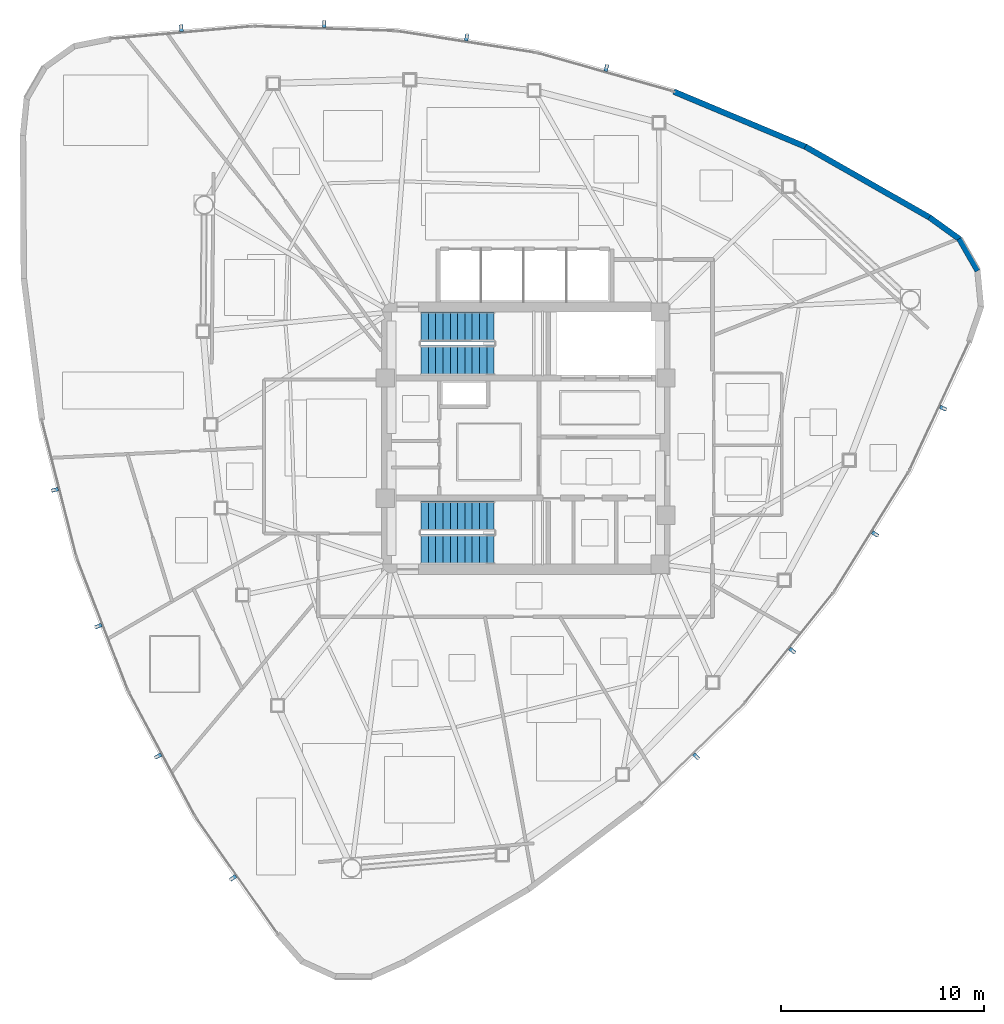
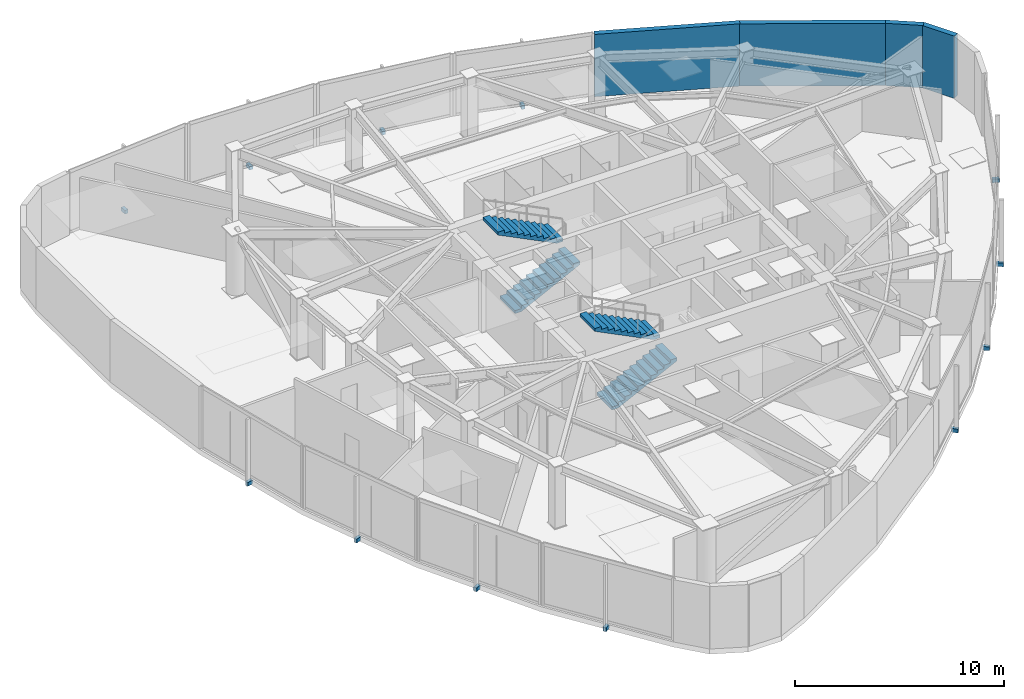
# One storey, part 10 of 13: 12 discrete accessories, 4 stair flights, 4 walls, 2 elements without a shape of their own.
"""IFC4 building model written with IfcOpenShell, lengths in metres."""

from ifc_helpers import new_model, si_unit, direction, frame, frame_2d, origin, origin_2d, place, context, subcontext, project, spatial, polyline, rectangle, outline, extrude, source, transform, mapped, material, layer, layer_set, type_object, type_shapes, element, aggregate, save


model = new_model("IFC4")

# Units and contexts
model_context = context("Model", 3, precision=1e-05, world=origin(), true_north=direction((0.0, 1.0)))
body_context = subcontext(model_context, "Body", "Model", "MODEL_VIEW")
ifc_project = project(units=[si_unit("LENGTHUNIT", "METRE"), si_unit("AREAUNIT", "SQUARE_METRE"), si_unit("VOLUMEUNIT", "CUBIC_METRE"), si_unit("PLANEANGLEUNIT", "RADIAN"), si_unit("MASSUNIT", "GRAM", prefix="KILO")], contexts=[model_context])

# Site, building, storey
site_placement = place(None, origin())
site = spatial("IfcSite", under=ifc_project, at=site_placement, CompositionType="ELEMENT")
building_placement = place(site_placement, origin())
building = spatial("IfcBuilding", under=site, at=building_placement, Name="Tavelor Broadcast Tower", CompositionType="ELEMENT")
storey_placement = place(building_placement, frame((0.0, 0.0, 241.89990234375)))
storey = spatial("IfcBuildingStorey", under=building, at=storey_placement, Name="L57", CompositionType="ELEMENT", Elevation=241.89990234375)

# Walls
ifc_material_1 = material(Name="Precast Concrete C40/50", Category="concrete")
ifc_layer = layer(ifc_material_1, 0.280029296875)
ifc_layer_set = layer_set([ifc_layer], Name="Precast Concrete C40/50")
wall_type = type_object("IfcWallType", Name="Insulated Precast Terracotta Facade Wall 280 mm", PredefinedType="STANDARD", material=ifc_layer_set)
wall_1_placement = place(storey_placement, frame((72.21728515625, 53.22412109375, 0.0), z_axis=(0.0, 0.0, 1.0), x_axis=(-0.497787070382, 0.867299275083, 0.0)))
element("IfcWall", 1, at=wall_1_placement, inside=storey, type_object=wall_type, Name="L57 Rounded Corner Structural Cladding Pier 23", PredefinedType="STANDARD", context=body_context, shape_type="SweptSolid", body=[
    extrude(rectangle(XDim=1.817626953125, YDim=0.280029296875, at=frame_2d((0.90869140625, 0.0))), origin(), (0.0, 0.0, 1.0), 3.650146484375),
])
wall_2_placement = place(storey_placement, frame((71.33203125, 54.77880859375, 0.0), z_axis=(0.0, 0.0, 1.0), x_axis=(-0.810493769762, 0.58574725708, 0.0)))
element("IfcWall", 2, at=wall_2_placement, inside=storey, type_object=wall_type, Name="L57 Rounded Corner Structural Cladding Pier 24", PredefinedType="STANDARD", context=body_context, shape_type="SweptSolid", body=[
    extrude(rectangle(XDim=1.840087890625, YDim=0.280029296875, at=frame_2d((0.919921875, 0.0))), origin(), (0.0, 0.0, 1.0), 3.650146484375),
])
wall_3_placement = place(storey_placement, frame((69.86572265625, 55.84033203125, 0.0), z_axis=(0.0, 0.0, 1.0), x_axis=(-0.868841491728, 0.495090357663, 0.0)))
element("IfcWall", 3, at=wall_3_placement, inside=storey, type_object=wall_type, Name="L57 Rounded Corner Structural Cladding Pier 25", PredefinedType="STANDARD", context=body_context, shape_type="SweptSolid", body=[
    extrude(rectangle(XDim=7.048095703125, YDim=0.280029296875, at=frame_2d((3.52392578125, 0.0))), origin(), (0.0, 0.0, 1.0), 3.650146484375),
])
wall_4_placement = place(storey_placement, frame((63.768798828125, 59.316650390625, 0.0), z_axis=(0.0, 0.0, 1.0), x_axis=(-0.922358763761, 0.386334454733, 0.0)))
element("IfcWall", 4, at=wall_4_placement, inside=storey, type_object=wall_type, Name="L57 Rounded Corner Structural Cladding Pier 26", PredefinedType="STANDARD", context=body_context, shape_type="SweptSolid", body=[
    extrude(rectangle(XDim=7.0361328125, YDim=0.280029296875, at=frame_2d((3.51806640625, 0.0))), origin(), (0.0, 0.0, 1.0), 3.650146484375),
])

# Stair, stair flights
ifc_material_2 = material(Name="Concrete C40/50", Category="concrete")
stair_type = type_object("IfcStairType", Name="Reinforced Concrete Protected Dogleg Stair 1450 mm", PredefinedType="HALF_TURN_STAIR", material=ifc_material_2)
stair_1_placement = place(storey_placement, origin())
stair_1 = element("IfcStair", 5, at=stair_1_placement, inside=storey, type_object=stair_type, Name="L57 Protected Core Exit Stair ST1", PredefinedType="HALF_TURN_STAIR")
stair_flight_type = type_object("IfcStairFlightType", Name="Reinforced Concrete Stair Flight 1450 mm", PredefinedType="STRAIGHT", material=ifc_material_2)
stair_flight_1_placement = place(storey_placement, frame((44.85009765625, 48.824951171875, 0.0), z_axis=(0.0, 0.0, 1.0), x_axis=(1.0, 0.0, 0.0)))
stair_flight_1 = element("IfcStairFlight", 6, at=stair_flight_1_placement, type_object=stair_flight_type, Name="ST1 flight 1", NumberOfRisers=11, NumberOfTreads=10, PredefinedType="STRAIGHT", RiserHeight=0.179545455, TreadLength=0.36, context=body_context, shape_type="SweptSolid", body=[
    extrude(outline(polyline([(0.0, 0.0), (0.0, 0.179443359375), (0.360107421875, 0.179443359375), (0.360107421875, 0.359130859375), (0.719970703125, 0.359130859375), (0.719970703125, 0.53857421875), (1.080078125, 0.53857421875), (1.080078125, 0.71826171875), (1.43994140625, 0.71826171875), (1.43994140625, 0.897705078125), (1.800048828125, 0.897705078125), (1.800048828125, 1.077392578125), (2.159912109375, 1.077392578125), (2.159912109375, 1.2568359375), (2.52001953125, 1.2568359375), (2.52001953125, 1.436279296875), (2.8798828125, 1.436279296875), (2.8798828125, 1.615966796875), (3.239990234375, 1.615966796875), (3.239990234375, 1.79541015625), (3.60009765625, 1.79541015625), (3.60009765625, 1.97509765625), (3.60009765625, 1.6279296875), (0.3359375, 0.0), (0.0, 0.0)])), frame((0.0, 0.72509765625, 0.0), z_axis=(0.0, -1.0, 0.0), x_axis=(1.0, 0.0, 0.0)), (0.0, 0.0, 1.0), 1.449951171875),
])
stair_flight_2_placement = place(storey_placement, frame((48.449951171875, 50.47509765625, 1.97509765625), z_axis=(0.0, 0.0, 1.0), x_axis=(-1.0, 0.0, 0.0)))
stair_flight_2 = element("IfcStairFlight", 7, at=stair_flight_2_placement, type_object=stair_flight_type, Name="ST1 flight 2", NumberOfRisers=11, NumberOfTreads=10, PredefinedType="STRAIGHT", RiserHeight=0.179545455, TreadLength=0.36, context=body_context, shape_type="SweptSolid", body=[
    extrude(outline(polyline([(0.0, 0.0), (0.0, 0.179443359375), (0.360107421875, 0.179443359375), (0.360107421875, 0.359130859375), (0.719970703125, 0.359130859375), (0.719970703125, 0.53857421875), (1.080078125, 0.53857421875), (1.080078125, 0.71826171875), (1.43994140625, 0.71826171875), (1.43994140625, 0.897705078125), (1.800048828125, 0.897705078125), (1.800048828125, 1.077392578125), (2.159912109375, 1.077392578125), (2.159912109375, 1.2568359375), (2.52001953125, 1.2568359375), (2.52001953125, 1.436279296875), (2.8798828125, 1.436279296875), (2.8798828125, 1.615966796875), (3.239990234375, 1.615966796875), (3.239990234375, 1.79541015625), (3.60009765625, 1.79541015625), (3.60009765625, 1.97509765625), (3.60009765625, 1.6279296875), (0.3359375, 0.0), (0.0, 0.0)])), frame((0.0, 0.72509765625, 0.0), z_axis=(0.0, -1.0, 0.0), x_axis=(1.0, 0.0, 0.0)), (0.0, 0.0, 1.0), 1.449951171875),
])
aggregate(stair_1, [stair_flight_1, stair_flight_2])

stair_2_placement = place(storey_placement, origin())
stair_2 = element("IfcStair", 8, at=stair_2_placement, inside=storey, type_object=stair_type, Name="L57 Protected Core Exit Stair ST2", PredefinedType="HALF_TURN_STAIR")
stair_flight_3_placement = place(storey_placement, frame((44.85009765625, 39.52490234375, 0.0), z_axis=(0.0, 0.0, 1.0), x_axis=(1.0, 0.0, 0.0)))
stair_flight_3 = element("IfcStairFlight", 9, at=stair_flight_3_placement, type_object=stair_flight_type, Name="ST2 flight 1", NumberOfRisers=11, NumberOfTreads=10, PredefinedType="STRAIGHT", RiserHeight=0.179545455, TreadLength=0.36, context=body_context, shape_type="SweptSolid", body=[
    extrude(outline(polyline([(0.0, 0.0), (0.0, 0.179443359375), (0.360107421875, 0.179443359375), (0.360107421875, 0.359130859375), (0.719970703125, 0.359130859375), (0.719970703125, 0.53857421875), (1.080078125, 0.53857421875), (1.080078125, 0.71826171875), (1.43994140625, 0.71826171875), (1.43994140625, 0.897705078125), (1.800048828125, 0.897705078125), (1.800048828125, 1.077392578125), (2.159912109375, 1.077392578125), (2.159912109375, 1.2568359375), (2.52001953125, 1.2568359375), (2.52001953125, 1.436279296875), (2.8798828125, 1.436279296875), (2.8798828125, 1.615966796875), (3.239990234375, 1.615966796875), (3.239990234375, 1.79541015625), (3.60009765625, 1.79541015625), (3.60009765625, 1.97509765625), (3.60009765625, 1.6279296875), (0.3359375, 0.0), (0.0, 0.0)])), frame((0.0, 0.72509765625, 0.0), z_axis=(0.0, -1.0, 0.0), x_axis=(1.0, 0.0, 0.0)), (0.0, 0.0, 1.0), 1.449951171875),
])
stair_flight_4_placement = place(storey_placement, frame((48.449951171875, 41.175048828125, 1.97509765625), z_axis=(0.0, 0.0, 1.0), x_axis=(-1.0, 0.0, 0.0)))
stair_flight_4 = element("IfcStairFlight", 10, at=stair_flight_4_placement, type_object=stair_flight_type, Name="ST2 flight 2", NumberOfRisers=11, NumberOfTreads=10, PredefinedType="STRAIGHT", RiserHeight=0.179545455, TreadLength=0.36, context=body_context, shape_type="SweptSolid", body=[
    extrude(outline(polyline([(0.0, 0.0), (0.0, 0.179443359375), (0.360107421875, 0.179443359375), (0.360107421875, 0.359130859375), (0.719970703125, 0.359130859375), (0.719970703125, 0.53857421875), (1.080078125, 0.53857421875), (1.080078125, 0.71826171875), (1.43994140625, 0.71826171875), (1.43994140625, 0.897705078125), (1.800048828125, 0.897705078125), (1.800048828125, 1.077392578125), (2.159912109375, 1.077392578125), (2.159912109375, 1.2568359375), (2.52001953125, 1.2568359375), (2.52001953125, 1.436279296875), (2.8798828125, 1.436279296875), (2.8798828125, 1.615966796875), (3.239990234375, 1.615966796875), (3.239990234375, 1.79541015625), (3.60009765625, 1.79541015625), (3.60009765625, 1.97509765625), (3.60009765625, 1.6279296875), (0.3359375, 0.0), (0.0, 0.0)])), frame((0.0, 0.72509765625, 0.0), z_axis=(0.0, -1.0, 0.0), x_axis=(1.0, 0.0, 0.0)), (0.0, 0.0, 1.0), 1.449951171875),
])
aggregate(stair_2, [stair_flight_3, stair_flight_4])

# Discrete accessories
ifc_material_3 = material(Name="Steel S355", Category="steel")
discrete_accessory_type = type_object("IfcDiscreteAccessoryType", Name="Stainless Baguette Outrigger Support Bracket 260x180", PredefinedType="BRACKET", material=ifc_material_3)
shared_shape = source(origin(), body_context, "Body", "SweptSolid", [
    extrude(rectangle(XDim=0.179931640625, YDim=0.340087890625, at=origin_2d()), origin(), (0.0, 0.0, 1.0), 0.216064453125),
])
type_shapes(discrete_accessory_type, [shared_shape])
for number, where, z_axis, x_axis, name in (
    (11, (26.856201171875, 42.452880859375, -0.2578125), (0.0, 0.0, 1.0), (0.245814952628, -0.969316774365, 0.0), "L57 Baguette Outrigger Bracket 589"),
    (12, (28.993896484375, 35.7548828125, -0.2578125), (0.0, 0.0, 1.0), (0.361299105657, -0.932449975201, 0.0), "L57 Baguette Outrigger Bracket 590"),
    (13, (31.926513671875, 29.36474609375, -0.2578125), (0.0, 0.0, 1.0), (0.47147369718, -0.881880123865, 0.0), "L57 Baguette Outrigger Bracket 591"),
    (14, (35.610595703125, 23.376220703125, -0.2578125), (0.0, 0.0, 1.0), (0.574719628891, -0.818350382274, 0.0), "L57 Baguette Outrigger Bracket 592"),
    (15, (58.377685546875, 29.34814453125, -0.2578125), (0.0, 0.0, 1.0), (0.7165454746, 0.697540380788, 0.0), "L57 Baguette Outrigger Bracket 593"),
    (16, (63.109619140625, 34.548583984375, -0.2578125), (0.0, 0.0, 1.0), (0.626875813454, 0.779119191464, 0.0), "L57 Baguette Outrigger Bracket 594"),
    (17, (67.177490234375, 40.283203125, -0.2578125), (0.0, 0.0, 1.0), (0.52814195551, 0.84915609568, 0.0), "L57 Baguette Outrigger Bracket 595"),
    (18, (70.521240234375, 46.468017578125, -0.2578125), (0.0, 0.0, 1.0), (0.4213524058, 0.90689698981, 0.0), "L57 Baguette Outrigger Bracket 596"),
    (19, (53.966064453125, 63.198974609375, -0.2578125), (0.0, 0.0, 1.0), (-0.962312978642, 0.271944353017, 0.0), "L57 Baguette Outrigger Bracket 597"),
    (20, (47.096435546875, 64.69677734375, -0.2578125), (0.0, 0.0, 1.0), (-0.98817491911, 0.153330783737, 0.0), "L57 Baguette Outrigger Bracket 598"),
    (21, (40.09619140625, 65.352294921875, -0.2578125), (0.0, 0.0, 1.0), (-0.999467438949, 0.032631862958, 0.0), "L57 Baguette Outrigger Bracket 599"),
    (22, (33.068115234375, 65.15576171875, -0.2578125), (0.0, 0.0, 1.0), (-0.996072034691, -0.088546607536, 0.0), "L57 Baguette Outrigger Bracket 600"),
):
    element("IfcDiscreteAccessory", number, at=place(storey_placement, frame(where, z_axis=z_axis, x_axis=x_axis)), inside=storey, type_object=discrete_accessory_type, Name=name, PredefinedType="BRACKET", context=body_context, shape_type="MappedRepresentation", body=[
        mapped(shared_shape, transform((0.0, 0.0, 0.0), scale=1.0)),
    ])

save(model, "model.ifc")
